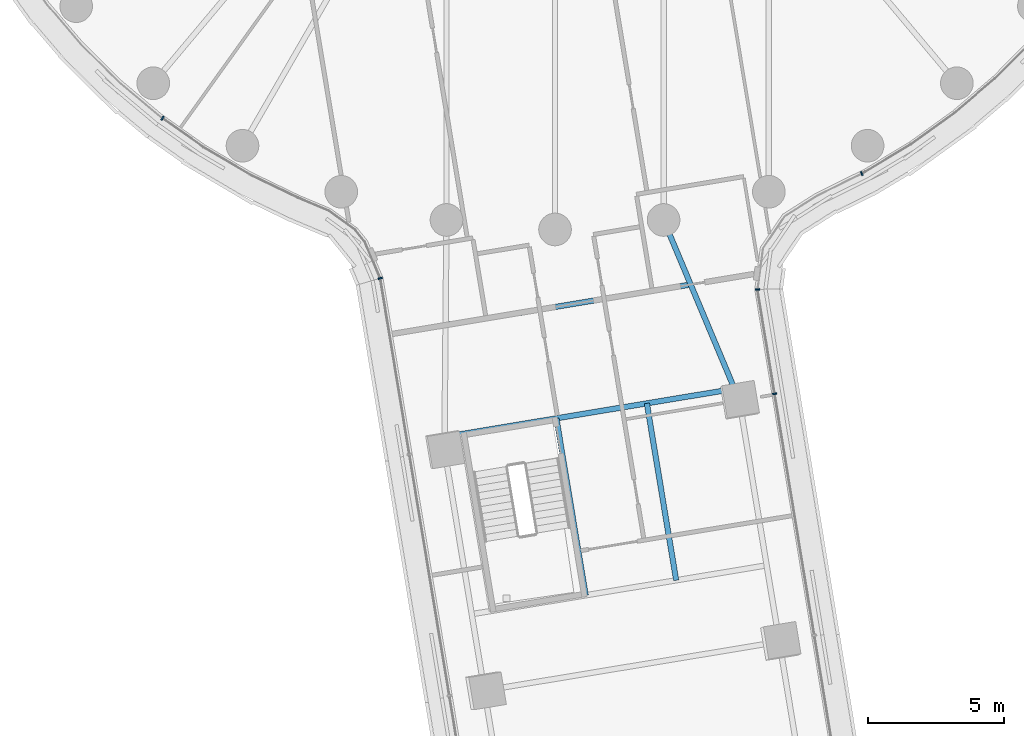
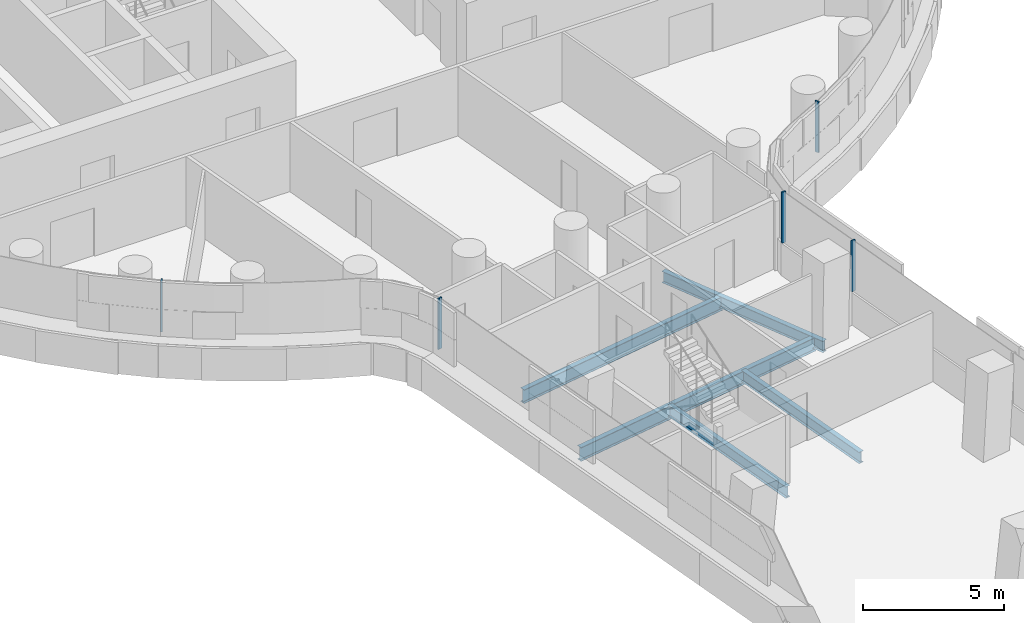
# One storey, part 5 of 32: 5 beams, 5 members, 4 elements without a shape of their own.
"""IFC4 building model written with IfcOpenShell, lengths in metres."""

from ifc_helpers import new_model, si_unit, direction, frame, origin, origin_2d, place, context, subcontext, project, spatial, rectangle, i_section, extrude, material, layer, layer_set, material_profile, profile_set, type_object, element, aggregate, save


model = new_model("IFC4")

# Units and contexts
model_context = context("Model", 3, precision=1e-05, world=origin(), true_north=direction((0.0, 1.0)))
body_context = subcontext(model_context, "Body", "Model", "MODEL_VIEW")
ifc_project = project(units=[si_unit("LENGTHUNIT", "METRE"), si_unit("AREAUNIT", "SQUARE_METRE"), si_unit("VOLUMEUNIT", "CUBIC_METRE"), si_unit("PLANEANGLEUNIT", "RADIAN"), si_unit("MASSUNIT", "GRAM", prefix="KILO")], contexts=[model_context])

# Site, building, storey
site_placement = place(None, origin())
site = spatial("IfcSite", under=ifc_project, at=site_placement, CompositionType="ELEMENT")
building_placement = place(site_placement, origin())
building = spatial("IfcBuilding", under=site, at=building_placement, Name="Tamarind Cross Interchange Tower", CompositionType="ELEMENT")
storey_placement = place(building_placement, frame((0.0, 0.0, 67.75)))
storey = spatial("IfcBuildingStorey", under=building, at=storey_placement, Name="L15", CompositionType="ELEMENT", Elevation=67.75)

# Beams
ifc_material_1 = material(Name="Steel Q355B", Category="steel")
ifc_material_profile_1 = material_profile(ifc_material_1, i_section(OverallWidth=0.198974609375, OverallDepth=0.49609375, WebThickness=0.009033203125, FlangeThickness=0.013916015625, FilletRadius=0.012939453125, at=origin_2d()), Name="HN 496x199x9x14")
ifc_profile_set_1 = profile_set([ifc_material_profile_1], Name="Steel Q355B")
beam_type_1 = type_object("IfcBeamType", Name="Composite beam HN 496x199x9x14 Q355B", PredefinedType="BEAM", material=ifc_profile_set_1)
beam_1_placement = place(storey_placement, frame((6.7822265625, -29.289794921875, -0.387939453125), z_axis=(-0.387218650611, 0.921987915658, 0.0), x_axis=(-0.921987915658, -0.387218650611, 0.0)))
element("IfcBeam", 1, at=beam_1_placement, inside=storey, type_object=beam_type_1, Name="Beam S-linkep", PredefinedType="BEAM", context=body_context, shape_type="SweptSolid", body=[
    extrude(i_section(OverallWidth=0.198974609375, OverallDepth=0.49609375, WebThickness=0.009033203125, FlangeThickness=0.013916015625, FilletRadius=0.012939453125, at=origin_2d()), origin(), (0.0, 0.0, 1.0), 7.200927734375),
])
beam_2_placement = place(storey_placement, frame((0.04931640625, -29.94873046875, -0.387939453125), z_axis=(0.163391135049, -0.986561370107, 0.0), x_axis=(0.986561370107, 0.163391135049, 0.0)))
element("IfcBeam", 2, at=beam_2_placement, inside=storey, type_object=beam_type_1, Name="Beam S-tr1", PredefinedType="BEAM", context=body_context, shape_type="SweptSolid", body=[
    extrude(i_section(OverallWidth=0.198974609375, OverallDepth=0.49609375, WebThickness=0.009033203125, FlangeThickness=0.013916015625, FilletRadius=0.012939453125, at=origin_2d()), origin(), (0.0, 0.0, 1.0), 6.599853515625),
])
beam_3_placement = place(storey_placement, frame((3.37890625, -29.397216796875, -0.387939453125), z_axis=(0.163385172417, -0.986562357601, 0.0), x_axis=(0.986562357601, 0.163385172417, 0.0)))
element("IfcBeam", 3, at=beam_3_placement, inside=storey, type_object=beam_type_1, Name="Beam S-stripp", PredefinedType="BEAM", context=body_context, shape_type="SweptSolid", body=[
    extrude(i_section(OverallWidth=0.198974609375, OverallDepth=0.49609375, WebThickness=0.009033203125, FlangeThickness=0.013916015625, FilletRadius=0.012939453125, at=origin_2d()), origin(), (0.0, 0.0, 1.0), 6.60009765625),
])
ifc_material_profile_2 = material_profile(ifc_material_1, i_section(OverallWidth=0.199951171875, OverallDepth=0.60009765625, WebThickness=0.010986328125, FlangeThickness=0.01708984375, FilletRadius=0.012939453125, at=origin_2d()), Name="HN 600x200x11x17")
ifc_profile_set_2 = profile_set([ifc_material_profile_2], Name="Steel Q355B")
beam_type_2 = type_object("IfcBeamType", Name="Composite beam HN 600x200x11x17 Q355B", PredefinedType="BEAM", material=ifc_profile_set_2)
beam_4_placement = place(storey_placement, frame((-4.06591796875, -30.63037109375, -0.43994140625), z_axis=(0.986563022464, 0.163381157748, 0.0), x_axis=(-0.163381157748, 0.986563022464, 0.0)))
element("IfcBeam", 4, at=beam_4_placement, inside=storey, type_object=beam_type_2, Name="Beam S-x298", PredefinedType="BEAM", context=body_context, shape_type="SweptSolid", body=[
    extrude(i_section(OverallWidth=0.199951171875, OverallDepth=0.60009765625, WebThickness=0.010986328125, FlangeThickness=0.01708984375, FilletRadius=0.012939453125, at=origin_2d()), origin(), (0.0, 0.0, 1.0), 10.814208984375),
])
beam_5_placement = place(storey_placement, frame((-4.02880859375, -26.51904296875, -0.43994140625), z_axis=(0.986560845896, 0.163394300223, 0.0), x_axis=(-0.163394300223, 0.986560845896, 0.0)))
element("IfcBeam", 5, at=beam_5_placement, inside=storey, type_object=beam_type_2, Name="Beam S-x258", PredefinedType="BEAM", context=body_context, shape_type="SweptSolid", body=[
    extrude(i_section(OverallWidth=0.199951171875, OverallDepth=0.60009765625, WebThickness=0.010986328125, FlangeThickness=0.01708984375, FilletRadius=0.012939453125, at=origin_2d()), origin(), (0.0, 0.0, 1.0), 9.142822265625),
])

# Curtain wall, member
ifc_material_2 = material(Name="Aluminium 6063-T6", Category="aluminium")
ifc_layer = layer(ifc_material_2, 0.159912109375)
ifc_layer_set = layer_set([ifc_layer], Name="Aluminium 6063-T6")
curtain_wall_type = type_object("IfcCurtainWallType", Name="Office curtain wall, 9.0 m bays", PredefinedType="NOTDEFINED", material=ifc_layer_set)
curtain_wall_1_placement = place(storey_placement, origin())
curtain_wall_1 = element("IfcCurtainWall", 6, at=curtain_wall_1_placement, inside=storey, type_object=curtain_wall_type, Name="CWS-L15-06", PredefinedType="NOTDEFINED")
ifc_material_profile_3 = material_profile(ifc_material_2, rectangle(XDim=0.06005859375, YDim=0.159912109375, at=origin_2d()), Name="Mullion CW1")
ifc_profile_set_3 = profile_set([ifc_material_profile_3], Name="Aluminium 6063-T6")
member_type = type_object("IfcMemberType", Name="Mullion CW1", PredefinedType="MULLION", material=ifc_profile_set_3)
member_1_placement = place(storey_placement, frame((-14.443603515625, -18.905517578125, 1.39990234375), z_axis=(0.0, 0.0, 1.0), x_axis=(0.816341886298, -0.577568978284, 0.0)))
member_1 = element("IfcMember", 7, at=member_1_placement, type_object=member_type, Name="CWM-L15-06-02", PredefinedType="MULLION", context=body_context, shape_type="SweptSolid", body=[
    extrude(rectangle(XDim=0.06005859375, YDim=0.159912109375, at=origin_2d()), origin(), (0.0, 0.0, 1.0), 2.210205078125),
])
aggregate(curtain_wall_1, [member_1])

curtain_wall_2_placement = place(storey_placement, origin())
curtain_wall_2 = element("IfcCurtainWall", 8, at=curtain_wall_2_placement, inside=storey, type_object=curtain_wall_type, Name="CWS-L15-07", PredefinedType="NOTDEFINED")
member_2_placement = place(storey_placement, frame((-6.4296875, -24.794921875, 1.39990234375), z_axis=(0.0, 0.0, 1.0), x_axis=(0.277909602496, -0.960607231308, 0.0)))
member_2 = element("IfcMember", 9, at=member_2_placement, type_object=member_type, Name="CWM-L15-07-00", PredefinedType="MULLION", context=body_context, shape_type="SweptSolid", body=[
    extrude(rectangle(XDim=0.06005859375, YDim=0.159912109375, at=origin_2d()), origin(), (0.0, 0.0, 1.0), 2.210205078125),
])
aggregate(curtain_wall_2, [member_2])

curtain_wall_3_placement = place(storey_placement, origin())
curtain_wall_3 = element("IfcCurtainWall", 10, at=curtain_wall_3_placement, inside=storey, type_object=curtain_wall_type, Name="CWS-L15-09", PredefinedType="NOTDEFINED")
member_3_placement = place(storey_placement, frame((8.08056640625, -29.045166015625, 1.39990234375), z_axis=(0.0, 0.0, 1.0), x_axis=(-0.162163789482, 0.986763854922, 0.0)))
member_3 = element("IfcMember", 11, at=member_3_placement, type_object=member_type, Name="CWM-L15-09-02", PredefinedType="MULLION", context=body_context, shape_type="SweptSolid", body=[
    extrude(rectangle(XDim=0.06005859375, YDim=0.159912109375, at=origin_2d()), origin(), (0.0, 0.0, 1.0), 2.210205078125),
])
aggregate(curtain_wall_3, [member_3])

# Curtain wall, members
curtain_wall_4_placement = place(storey_placement, origin())
curtain_wall_4 = element("IfcCurtainWall", 12, at=curtain_wall_4_placement, inside=storey, type_object=curtain_wall_type, Name="CWS-L15-10", PredefinedType="NOTDEFINED")
member_4_placement = place(storey_placement, frame((7.448974609375, -25.202880859375, 1.39990234375), z_axis=(0.0, 0.0, 1.0), x_axis=(-0.015281099723, 0.999883237179, 0.0)))
member_4 = element("IfcMember", 13, at=member_4_placement, type_object=member_type, Name="CWM-L15-10-00", PredefinedType="MULLION", context=body_context, shape_type="SweptSolid", body=[
    extrude(rectangle(XDim=0.06005859375, YDim=0.159912109375, at=origin_2d()), origin(), (0.0, 0.0, 1.0), 2.210205078125),
])
member_5_placement = place(storey_placement, frame((11.284912109375, -20.943359375, 1.39990234375), z_axis=(0.0, 0.0, 1.0), x_axis=(0.896492548518, 0.443058811505, 0.0)))
member_5 = element("IfcMember", 14, at=member_5_placement, type_object=member_type, Name="CWM-L15-10-01", PredefinedType="MULLION", context=body_context, shape_type="SweptSolid", body=[
    extrude(rectangle(XDim=0.06005859375, YDim=0.159912109375, at=origin_2d()), origin(), (0.0, 0.0, 1.0), 2.210205078125),
])
aggregate(curtain_wall_4, [member_4, member_5])

save(model, "model.ifc")
